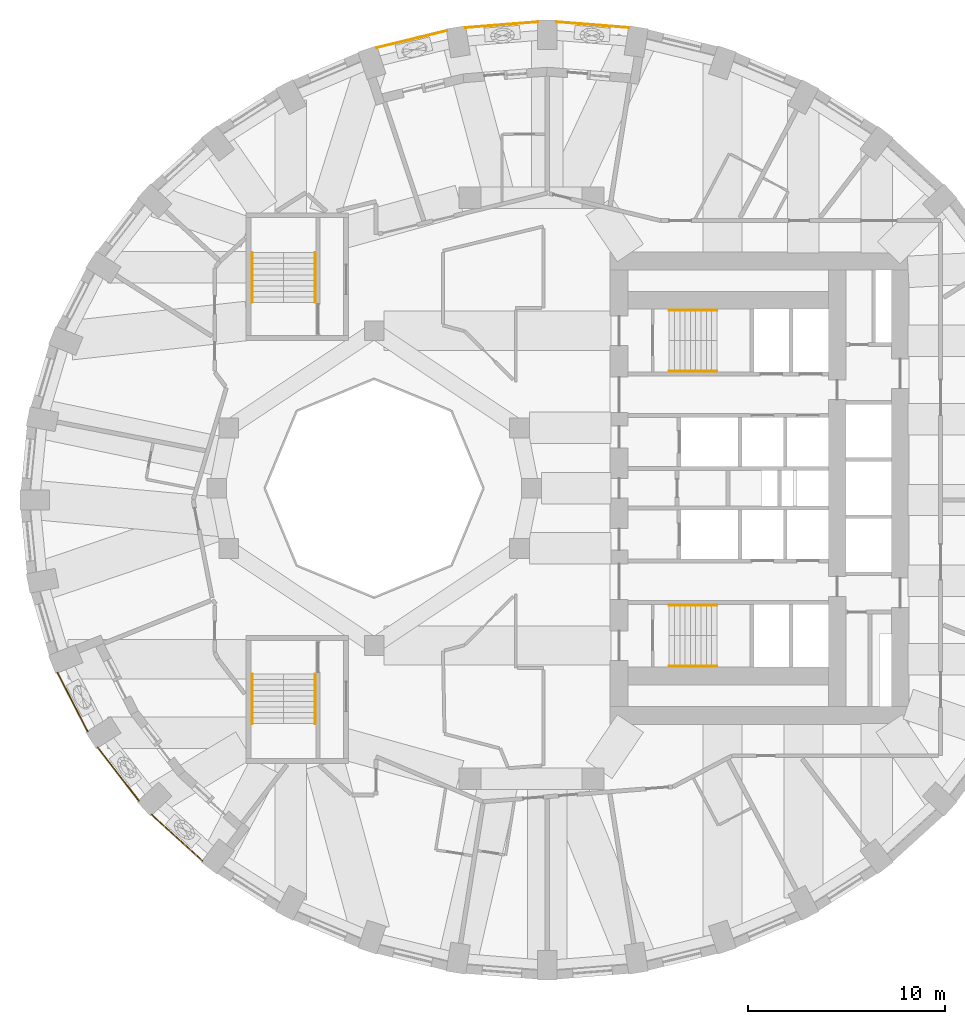
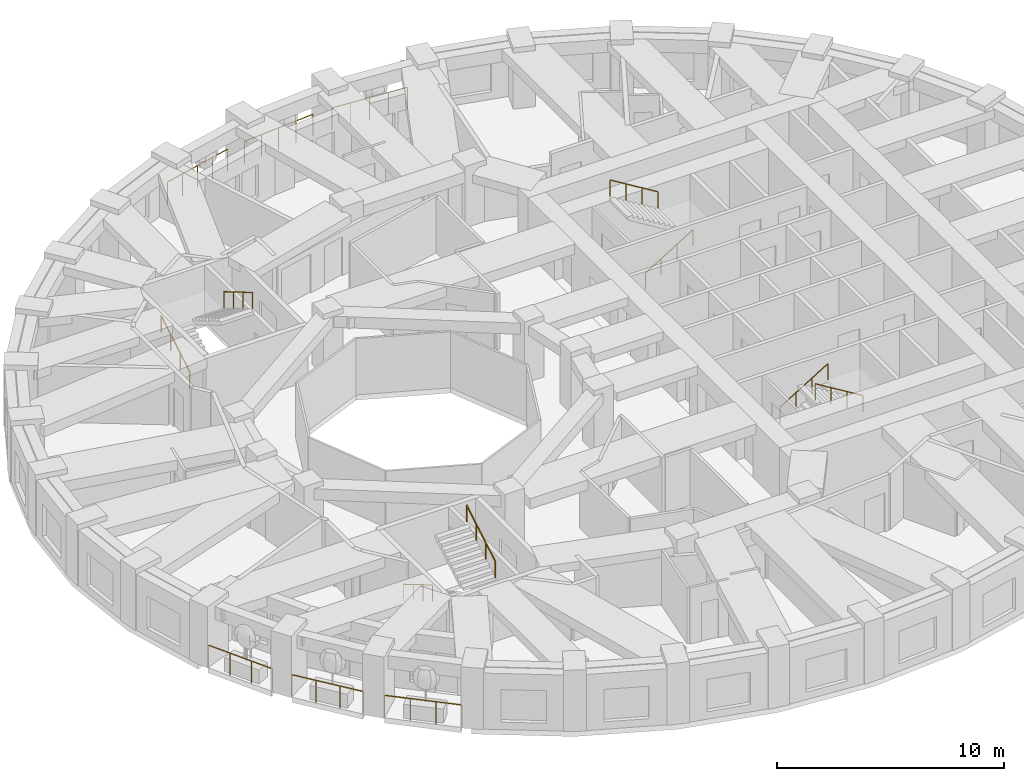
# One storey, part 10 of 12: 14 railings.
"""IFC4 building model written with IfcOpenShell, lengths in metres."""

from ifc_helpers import new_model, si_unit, direction, frame, origin, origin_2d, place, context, subcontext, project, spatial, circle, extrude, material, type_object, element, save


model = new_model("IFC4")

# Units and contexts
model_context = context("Model", 3, precision=1e-05, world=origin(), true_north=direction((0.0, 1.0)))
body_context = subcontext(model_context, "Body", "Model", "MODEL_VIEW")
ifc_project = project(units=[si_unit("LENGTHUNIT", "METRE"), si_unit("AREAUNIT", "SQUARE_METRE"), si_unit("VOLUMEUNIT", "CUBIC_METRE"), si_unit("PLANEANGLEUNIT", "RADIAN"), si_unit("MASSUNIT", "GRAM", prefix="KILO")], contexts=[model_context])

# Site, building, storey
site_placement = place(None, origin())
site = spatial("IfcSite", under=ifc_project, at=site_placement, CompositionType="ELEMENT")
building_placement = place(site_placement, origin())
building = spatial("IfcBuilding", under=site, at=building_placement, Name="Taillehof Tower", CompositionType="ELEMENT")
storey_placement = place(building_placement, frame((0.0, 0.0, 88.89990234375)))
storey = spatial("IfcBuildingStorey", under=building, at=storey_placement, Name="L24", CompositionType="ELEMENT", Elevation=88.89990234375)

# Railings
ifc_material_1 = material(Name="Stainless steel balustrade", Category="steel")
railing_type_1 = type_object("IfcRailingType", Name="Balcony guard 1200", PredefinedType="GUARDRAIL", material=ifc_material_1)
railing_1_placement = place(storey_placement, frame((-24.09912109375, -9.373779296875, 0.0)))
element("IfcRailing", 1, at=railing_1_placement, inside=storey, type_object=railing_type_1, Name="Balcony guard L24 bay 21", PredefinedType="GUARDRAIL", context=body_context, shape_type="SweptSolid", body=[
    extrude(circle(Radius=0.02392578125, at=origin_2d()), frame((0.0, 0.0, 1.17578125), z_axis=(0.456827973353, -0.88955505887, 0.0), x_axis=(0.88955505887, 0.456827973353, 0.0)), (0.0, 0.0, 1.0), 3.363037109375),
    extrude(circle(Radius=0.02099609375, at=origin_2d()), origin(), (0.0, 0.0, 1.0), 1.15185546875),
    extrude(circle(Radius=0.02099609375, at=origin_2d()), frame((0.51220703125, -0.997314453125, 0.0)), (0.0, 0.0, 1.0), 1.15185546875),
    extrude(circle(Radius=0.02099609375, at=origin_2d()), frame((1.024169921875, -1.994384765625, 0.0)), (0.0, 0.0, 1.0), 1.15185546875),
    extrude(circle(Radius=0.02099609375, at=origin_2d()), frame((1.536376953125, -2.99169921875, 0.0)), (0.0, 0.0, 1.0), 1.15185546875),
])
railing_2_placement = place(storey_placement, frame((-22.048095703125, -13.17626953125, 0.0)))
element("IfcRailing", 2, at=railing_2_placement, inside=storey, type_object=railing_type_1, Name="Balcony guard L24 bay 22", PredefinedType="GUARDRAIL", context=body_context, shape_type="SweptSolid", body=[
    extrude(circle(Radius=0.02392578125, at=origin_2d()), frame((0.0, 0.0, 1.17578125), z_axis=(0.610692337077, -0.791867962122, 0.0), x_axis=(0.791867962122, 0.610692337077, 0.0)), (0.0, 0.0, 1.0), 3.424072265625),
    extrude(circle(Radius=0.02099609375, at=origin_2d()), origin(), (0.0, 0.0, 1.0), 1.15185546875),
    extrude(circle(Radius=0.02099609375, at=origin_2d()), frame((0.697021484375, -0.90380859375, 0.0)), (0.0, 0.0, 1.0), 1.15185546875),
    extrude(circle(Radius=0.02099609375, at=origin_2d()), frame((1.39404296875, -1.8076171875, 0.0)), (0.0, 0.0, 1.0), 1.15185546875),
    extrude(circle(Radius=0.02099609375, at=origin_2d()), frame((2.091064453125, -2.71142578125, 0.0)), (0.0, 0.0, 1.0), 1.15185546875),
])
railing_3_placement = place(storey_placement, frame((-19.305908203125, -16.593505859375, 0.0)))
element("IfcRailing", 3, at=railing_3_placement, inside=storey, type_object=railing_type_1, Name="Balcony guard L24 bay 23", PredefinedType="GUARDRAIL", context=body_context, shape_type="SweptSolid", body=[
    extrude(circle(Radius=0.02392578125, at=origin_2d()), frame((0.0, 0.0, 1.17578125), z_axis=(0.740395369755, -0.672171627225, 0.0), x_axis=(0.672171627225, 0.740395369755, 0.0)), (0.0, 0.0, 1.0), 3.49267578125),
    extrude(circle(Radius=0.02099609375, at=origin_2d()), origin(), (0.0, 0.0, 1.0), 1.15185546875),
    extrude(circle(Radius=0.02099609375, at=origin_2d()), frame((0.862060546875, -0.782470703125, 0.0)), (0.0, 0.0, 1.0), 1.15185546875),
    extrude(circle(Radius=0.02099609375, at=origin_2d()), frame((1.723876953125, -1.565185546875, 0.0)), (0.0, 0.0, 1.0), 1.15185546875),
    extrude(circle(Radius=0.02099609375, at=origin_2d()), frame((2.5859375, -2.34765625, 0.0)), (0.0, 0.0, 1.0), 1.15185546875),
])
railing_4_placement = place(storey_placement, frame((4.952880859375, 23.409912109375, 0.0)))
element("IfcRailing", 4, at=railing_4_placement, inside=storey, type_object=railing_type_1, Name="Balcony guard L24 bay 9", PredefinedType="GUARDRAIL", context=body_context, shape_type="SweptSolid", body=[
    extrude(circle(Radius=0.02392578125, at=origin_2d()), frame((0.0, 0.0, 1.17578125), z_axis=(-0.996859998308, 0.07918423943, 0.0), x_axis=(-0.07918423943, -0.996859998308, 0.0)), (0.0, 0.0, 1.0), 3.684326171875),
    extrude(circle(Radius=0.02099609375, at=origin_2d()), origin(), (0.0, 0.0, 1.0), 1.15185546875),
    extrude(circle(Radius=0.02099609375, at=origin_2d()), frame((-0.918212890625, 0.072998046875, 0.0)), (0.0, 0.0, 1.0), 1.15185546875),
    extrude(circle(Radius=0.02099609375, at=origin_2d()), frame((-1.83642578125, 0.14599609375, 0.0)), (0.0, 0.0, 1.0), 1.15185546875),
    extrude(circle(Radius=0.02099609375, at=origin_2d()), frame((-2.754638671875, 0.21875, 0.0)), (0.0, 0.0, 1.0), 1.15185546875),
    extrude(circle(Radius=0.02099609375, at=origin_2d()), frame((-3.6728515625, 0.291748046875, 0.0)), (0.0, 0.0, 1.0), 1.15185546875),
])
railing_5_placement = place(storey_placement, frame((0.31982421875, 23.70166015625, 0.0)))
element("IfcRailing", 5, at=railing_5_placement, inside=storey, type_object=railing_type_1, Name="Balcony guard L24 bay 10", PredefinedType="GUARDRAIL", context=body_context, shape_type="SweptSolid", body=[
    extrude(circle(Radius=0.02392578125, at=origin_2d()), frame((0.0, 0.0, 1.17578125), z_axis=(-0.996859582788, -0.079189470281, 0.0), x_axis=(0.079189470281, -0.996859582788, 0.0)), (0.0, 0.0, 1.0), 3.68408203125),
    extrude(circle(Radius=0.02099609375, at=origin_2d()), origin(), (0.0, 0.0, 1.0), 1.15185546875),
    extrude(circle(Radius=0.02099609375, at=origin_2d()), frame((-0.918212890625, -0.072998046875, 0.0)), (0.0, 0.0, 1.0), 1.15185546875),
    extrude(circle(Radius=0.02099609375, at=origin_2d()), frame((-1.83642578125, -0.14599609375, 0.0)), (0.0, 0.0, 1.0), 1.15185546875),
    extrude(circle(Radius=0.02099609375, at=origin_2d()), frame((-2.75439453125, -0.21875, 0.0)), (0.0, 0.0, 1.0), 1.15185546875),
    extrude(circle(Radius=0.02099609375, at=origin_2d()), frame((-3.672607421875, -0.291748046875, 0.0)), (0.0, 0.0, 1.0), 1.15185546875),
])
railing_6_placement = place(storey_placement, frame((-4.30078125, 23.258056640625, 0.0)))
element("IfcRailing", 6, at=railing_6_placement, inside=storey, type_object=railing_type_1, Name="Balcony guard L24 bay 11", PredefinedType="GUARDRAIL", context=body_context, shape_type="SweptSolid", body=[
    extrude(circle(Radius=0.02392578125, at=origin_2d()), frame((0.0, 0.0, 1.17578125), z_axis=(-0.97164897724, -0.23642813925, 0.0), x_axis=(0.23642813925, -0.97164897724, 0.0)), (0.0, 0.0, 1.0), 3.66162109375),
    extrude(circle(Radius=0.02099609375, at=origin_2d()), origin(), (0.0, 0.0, 1.0), 1.15185546875),
    extrude(circle(Radius=0.02099609375, at=origin_2d()), frame((-0.889404296875, -0.21630859375, 0.0)), (0.0, 0.0, 1.0), 1.15185546875),
    extrude(circle(Radius=0.02099609375, at=origin_2d()), frame((-1.77880859375, -0.432861328125, 0.0)), (0.0, 0.0, 1.0), 1.15185546875),
    extrude(circle(Radius=0.02099609375, at=origin_2d()), frame((-2.66845703125, -0.6494140625, 0.0)), (0.0, 0.0, 1.0), 1.15185546875),
    extrude(circle(Radius=0.02099609375, at=origin_2d()), frame((-3.557861328125, -0.86572265625, 0.0)), (0.0, 0.0, 1.0), 1.15185546875),
])
ifc_material_2 = material(Name="Stainless steel", Category="steel")
railing_type_2 = type_object("IfcRailingType", Name="Stair handrail 900", PredefinedType="HANDRAIL", material=ifc_material_2)
railing_7_placement = place(storey_placement, frame((7.0, 5.949951171875, 0.1650390625)))
element("IfcRailing", 7, at=railing_7_placement, inside=storey, type_object=railing_type_2, Name="Stair S1 handrail", PredefinedType="HANDRAIL", context=body_context, shape_type="SweptSolid", body=[
    extrude(circle(Radius=0.02392578125, at=origin_2d()), frame((0.0, 0.0, 0.8759765625), z_axis=(0.853258522278, 0.0, 0.521488153423), x_axis=(0.0, 1.0, 0.0)), (0.0, 0.0, 1.0), 2.847900390625),
    extrude(circle(Radius=0.02099609375, at=origin_2d()), origin(), (0.0, 0.0, 1.0), 0.851806640625),
    extrude(circle(Radius=0.02099609375, at=origin_2d()), frame((0.81005859375, 0.0, 0.4951171875)), (0.0, 0.0, 1.0), 0.851806640625),
    extrude(circle(Radius=0.02099609375, at=origin_2d()), frame((1.619873046875, 0.0, 0.989990234375)), (0.0, 0.0, 1.0), 0.851806640625),
    extrude(circle(Radius=0.02099609375, at=origin_2d()), frame((2.429931640625, 0.0, 1.485107421875)), (0.0, 0.0, 1.0), 0.851806640625),
])
railing_8_placement = place(storey_placement, frame((9.429931640625, 9.050048828125, 1.815185546875)))
element("IfcRailing", 8, at=railing_8_placement, inside=storey, type_object=railing_type_2, Name="Stair S1 handrail", PredefinedType="HANDRAIL", context=body_context, shape_type="SweptSolid", body=[
    extrude(circle(Radius=0.02392578125, at=origin_2d()), frame((0.0, 0.0, 0.8759765625), z_axis=(-0.853296667938, 0.0, 0.521425734392), x_axis=(0.0, -1.0, 0.0)), (0.0, 0.0, 1.0), 2.84765625),
    extrude(circle(Radius=0.02099609375, at=origin_2d()), origin(), (0.0, 0.0, 1.0), 0.851806640625),
    extrude(circle(Radius=0.02099609375, at=origin_2d()), frame((-0.81005859375, 0.0, 0.494873046875)), (0.0, 0.0, 1.0), 0.851806640625),
    extrude(circle(Radius=0.02099609375, at=origin_2d()), frame((-1.619873046875, 0.0, 0.989990234375)), (0.0, 0.0, 1.0), 0.851806640625),
    extrude(circle(Radius=0.02099609375, at=origin_2d()), frame((-2.429931640625, 0.0, 1.48486328125)), (0.0, 0.0, 1.0), 0.851806640625),
])
railing_9_placement = place(storey_placement, frame((7.0, -5.949951171875, 0.1650390625)))
element("IfcRailing", 9, at=railing_9_placement, inside=storey, type_object=railing_type_2, Name="Stair S2 handrail", PredefinedType="HANDRAIL", context=body_context, shape_type="SweptSolid", body=[
    extrude(circle(Radius=0.02392578125, at=origin_2d()), frame((0.0, 0.0, 0.8759765625), z_axis=(0.853258522278, 0.0, 0.521488153423), x_axis=(0.0, 1.0, 0.0)), (0.0, 0.0, 1.0), 2.847900390625),
    extrude(circle(Radius=0.02099609375, at=origin_2d()), origin(), (0.0, 0.0, 1.0), 0.851806640625),
    extrude(circle(Radius=0.02099609375, at=origin_2d()), frame((0.81005859375, 0.0, 0.4951171875)), (0.0, 0.0, 1.0), 0.851806640625),
    extrude(circle(Radius=0.02099609375, at=origin_2d()), frame((1.619873046875, 0.0, 0.989990234375)), (0.0, 0.0, 1.0), 0.851806640625),
    extrude(circle(Radius=0.02099609375, at=origin_2d()), frame((2.429931640625, 0.0, 1.485107421875)), (0.0, 0.0, 1.0), 0.851806640625),
])
railing_10_placement = place(storey_placement, frame((9.429931640625, -9.050048828125, 1.815185546875)))
element("IfcRailing", 10, at=railing_10_placement, inside=storey, type_object=railing_type_2, Name="Stair S2 handrail", PredefinedType="HANDRAIL", context=body_context, shape_type="SweptSolid", body=[
    extrude(circle(Radius=0.02392578125, at=origin_2d()), frame((0.0, 0.0, 0.8759765625), z_axis=(-0.853296667938, 0.0, 0.521425734392), x_axis=(0.0, -1.0, 0.0)), (0.0, 0.0, 1.0), 2.84765625),
    extrude(circle(Radius=0.02099609375, at=origin_2d()), origin(), (0.0, 0.0, 1.0), 0.851806640625),
    extrude(circle(Radius=0.02099609375, at=origin_2d()), frame((-0.81005859375, 0.0, 0.494873046875)), (0.0, 0.0, 1.0), 0.851806640625),
    extrude(circle(Radius=0.02099609375, at=origin_2d()), frame((-1.619873046875, 0.0, 0.989990234375)), (0.0, 0.0, 1.0), 0.851806640625),
    extrude(circle(Radius=0.02099609375, at=origin_2d()), frame((-2.429931640625, 0.0, 1.48486328125)), (0.0, 0.0, 1.0), 0.851806640625),
])
railing_11_placement = place(storey_placement, frame((-14.199951171875, 9.449951171875, 0.1650390625)))
element("IfcRailing", 11, at=railing_11_placement, inside=storey, type_object=railing_type_2, Name="Stair S3 handrail", PredefinedType="HANDRAIL", context=body_context, shape_type="SweptSolid", body=[
    extrude(circle(Radius=0.02392578125, at=origin_2d()), frame((0.0, 0.0, 0.8759765625), z_axis=(0.0, 0.86152411907, 0.507716645641), x_axis=(-1.0, 0.0, 0.0)), (0.0, 0.0, 1.0), 2.925048828125),
    extrude(circle(Radius=0.02099609375, at=origin_2d()), origin(), (0.0, 0.0, 1.0), 0.851806640625),
    extrude(circle(Radius=0.02099609375, at=origin_2d()), frame((0.0, 0.840087890625, 0.4951171875)), (0.0, 0.0, 1.0), 0.851806640625),
    extrude(circle(Radius=0.02099609375, at=origin_2d()), frame((0.0, 1.679931640625, 0.989990234375)), (0.0, 0.0, 1.0), 0.851806640625),
    extrude(circle(Radius=0.02099609375, at=origin_2d()), frame((0.0, 2.52001953125, 1.485107421875)), (0.0, 0.0, 1.0), 0.851806640625),
])
railing_12_placement = place(storey_placement, frame((-11.0, 11.969970703125, 1.815185546875)))
element("IfcRailing", 12, at=railing_12_placement, inside=storey, type_object=railing_type_2, Name="Stair S3 handrail", PredefinedType="HANDRAIL", context=body_context, shape_type="SweptSolid", body=[
    extrude(circle(Radius=0.02392578125, at=origin_2d()), frame((0.0, 0.0, 0.8759765625), z_axis=(0.0, -0.861560626758, 0.507654692109), x_axis=(1.0, 0.0, 0.0)), (0.0, 0.0, 1.0), 2.925048828125),
    extrude(circle(Radius=0.02099609375, at=origin_2d()), origin(), (0.0, 0.0, 1.0), 0.851806640625),
    extrude(circle(Radius=0.02099609375, at=origin_2d()), frame((0.0, -0.840087890625, 0.494873046875)), (0.0, 0.0, 1.0), 0.851806640625),
    extrude(circle(Radius=0.02099609375, at=origin_2d()), frame((0.0, -1.679931640625, 0.989990234375)), (0.0, 0.0, 1.0), 0.851806640625),
    extrude(circle(Radius=0.02099609375, at=origin_2d()), frame((0.0, -2.52001953125, 1.48486328125)), (0.0, 0.0, 1.0), 0.851806640625),
])
railing_13_placement = place(storey_placement, frame((-14.199951171875, -9.449951171875, 0.1650390625)))
element("IfcRailing", 13, at=railing_13_placement, inside=storey, type_object=railing_type_2, Name="Stair S4 handrail", PredefinedType="HANDRAIL", context=body_context, shape_type="SweptSolid", body=[
    extrude(circle(Radius=0.02392578125, at=origin_2d()), frame((0.0, 0.0, 0.8759765625), z_axis=(0.0, -0.86152411907, 0.507716645641), x_axis=(1.0, 0.0, 0.0)), (0.0, 0.0, 1.0), 2.925048828125),
    extrude(circle(Radius=0.02099609375, at=origin_2d()), origin(), (0.0, 0.0, 1.0), 0.851806640625),
    extrude(circle(Radius=0.02099609375, at=origin_2d()), frame((0.0, -0.840087890625, 0.4951171875)), (0.0, 0.0, 1.0), 0.851806640625),
    extrude(circle(Radius=0.02099609375, at=origin_2d()), frame((0.0, -1.679931640625, 0.989990234375)), (0.0, 0.0, 1.0), 0.851806640625),
    extrude(circle(Radius=0.02099609375, at=origin_2d()), frame((0.0, -2.52001953125, 1.485107421875)), (0.0, 0.0, 1.0), 0.851806640625),
])
railing_14_placement = place(storey_placement, frame((-11.0, -11.969970703125, 1.815185546875)))
element("IfcRailing", 14, at=railing_14_placement, inside=storey, type_object=railing_type_2, Name="Stair S4 handrail", PredefinedType="HANDRAIL", context=body_context, shape_type="SweptSolid", body=[
    extrude(circle(Radius=0.02392578125, at=origin_2d()), frame((0.0, 0.0, 0.8759765625), z_axis=(0.0, 0.861560626758, 0.507654692109), x_axis=(-1.0, 0.0, 0.0)), (0.0, 0.0, 1.0), 2.925048828125),
    extrude(circle(Radius=0.02099609375, at=origin_2d()), origin(), (0.0, 0.0, 1.0), 0.851806640625),
    extrude(circle(Radius=0.02099609375, at=origin_2d()), frame((0.0, 0.840087890625, 0.494873046875)), (0.0, 0.0, 1.0), 0.851806640625),
    extrude(circle(Radius=0.02099609375, at=origin_2d()), frame((0.0, 1.679931640625, 0.989990234375)), (0.0, 0.0, 1.0), 0.851806640625),
    extrude(circle(Radius=0.02099609375, at=origin_2d()), frame((0.0, 2.52001953125, 1.48486328125)), (0.0, 0.0, 1.0), 0.851806640625),
])

save(model, "model.ifc")
